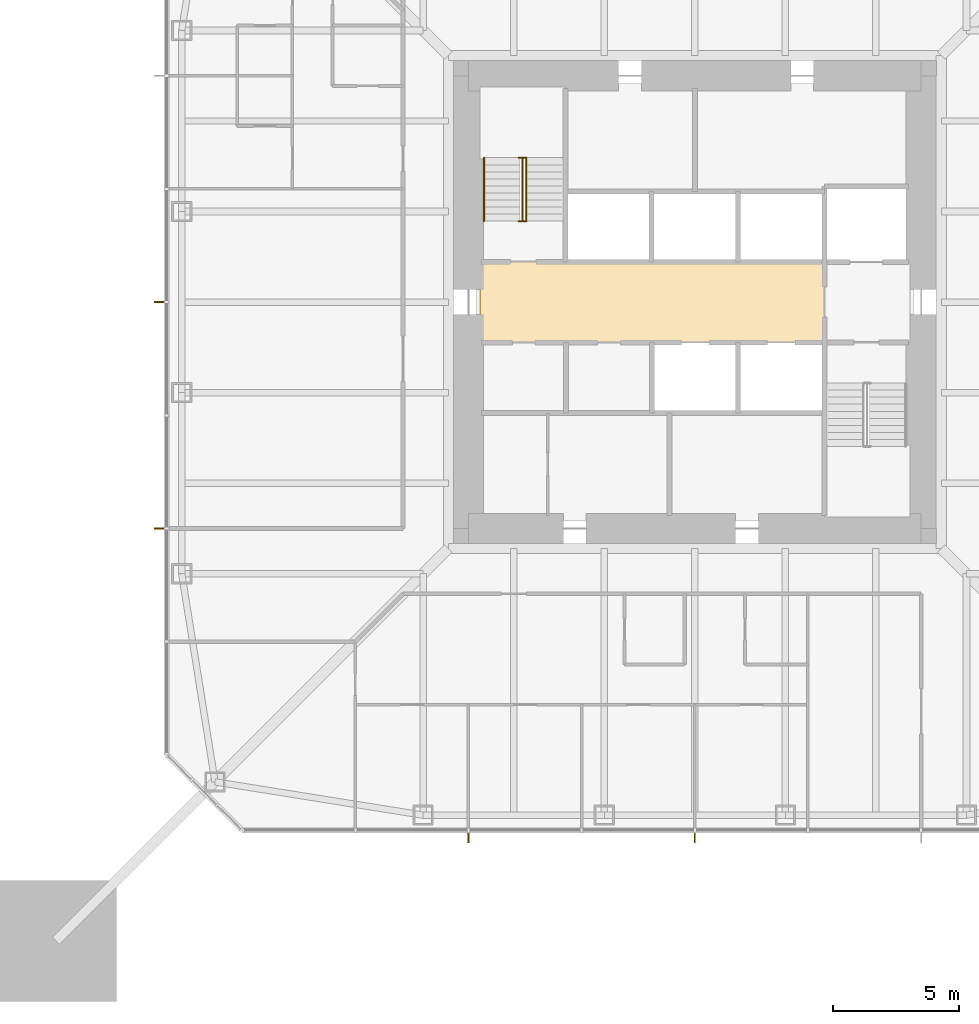
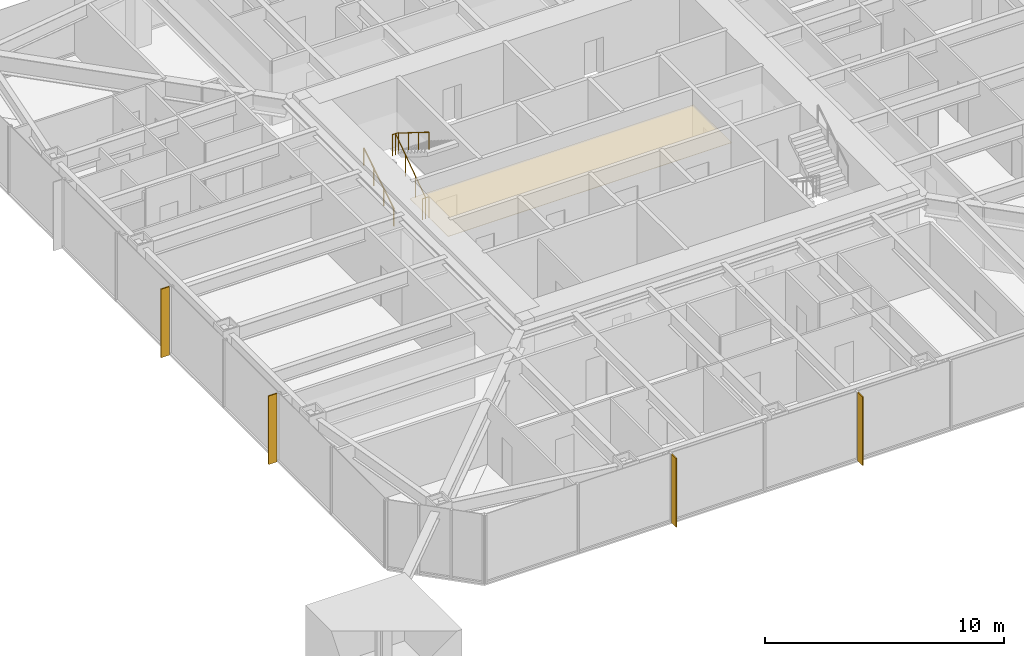
# One storey, part 21 of 25: 4 shading devices, 3 railings, 1 covering.
"""IFC4 building model written with IfcOpenShell, lengths in metres."""

from ifc_helpers import new_model, si_unit, direction, frame, origin, origin_2d, place, context, subcontext, project, spatial, polyline, rectangle, circle, outline, extrude, material, layer, layer_set, constituent, constituent_set, type_object, element, save


model = new_model("IFC4")

# Units and contexts
model_context = context("Model", 3, precision=1e-05, world=origin(), true_north=direction((0.0, 1.0)))
body_context = subcontext(model_context, "Body", "Model", "MODEL_VIEW")
ifc_project = project(units=[si_unit("LENGTHUNIT", "METRE"), si_unit("AREAUNIT", "SQUARE_METRE"), si_unit("VOLUMEUNIT", "CUBIC_METRE"), si_unit("PLANEANGLEUNIT", "RADIAN"), si_unit("MASSUNIT", "GRAM", prefix="KILO")], contexts=[model_context])

# Site, building, storey
site_placement = place(None, origin())
site = spatial("IfcSite", under=ifc_project, at=site_placement, CompositionType="ELEMENT")
building_placement = place(site_placement, origin())
building = spatial("IfcBuilding", under=site, at=building_placement, Name="Iwan Alto Co-Living Towers", CompositionType="ELEMENT")
storey_placement = place(building_placement, frame((0.0, 0.0, 119.0)))
storey = spatial("IfcBuildingStorey", under=building, at=storey_placement, Name="L32", CompositionType="ELEMENT", Elevation=119.0)

# Covering
ifc_material_1 = material(Name="Mineral fibre acoustic tiles on steel grid", Category="steel")
ifc_layer_1 = layer(ifc_material_1, 0.02001953125)
ifc_layer_set_1 = layer_set([ifc_layer_1], Name="ACOUSTIC TILE CEILING 20")
covering_type = type_object("IfcCoveringType", Name="ACOUSTIC TILE CEILING 20", PredefinedType="CEILING", material=ifc_layer_set_1)
covering_placement = place(storey_placement, frame((0.0, 0.0, 2.60009765625)))
element("IfcCovering", 1, at=covering_placement, inside=storey, type_object=covering_type, Name="Ceiling Lift lobby L32", PredefinedType="CEILING", context=body_context, shape_type="SweptSolid", body=[
    extrude(outline(polyline([(-8.550048828125, -1.60009765625), (-8.550048828125, 1.60009765625), (5.14990234375, 1.60009765625), (5.14990234375, -1.60009765625), (-8.550048828125, -1.60009765625)])), origin(), (0.0, 0.0, 1.0), 0.02001953125),
])

# Shading devices
ifc_material_2 = material(Name="Aluminium 6063-T6 bronze anodised", Category="aluminium")
ifc_layer_2 = layer(ifc_material_2, 0.050048828125)
ifc_layer_set_2 = layer_set([ifc_layer_2], Name="BRONZE FIN 50X400")
shading_device_type = type_object("IfcShadingDeviceType", Name="BRONZE FIN 50X400", PredefinedType="USERDEFINED", material=ifc_layer_set_2)
for number, where, z_axis, x_axis, name in (
    (2, (-9.0, -21.300048828125, 0.0), (0.0, 0.0, 1.0), (1.0, 0.0, 0.0), "Bronze fin L32"),
    (3, (0.0, -21.300048828125, 0.0), (0.0, 0.0, 1.0), (1.0, 0.0, 0.0), "Bronze fin L32"),
    (4, (-21.300048828125, 0.0, 0.0), (0.0, 0.0, 1.0), (0.0, -1.0, 0.0), "Bronze fin L32"),
    (5, (-21.300048828125, -9.0, 0.0), (0.0, 0.0, 1.0), (0.0, -1.0, 0.0), "Bronze fin L32"),
):
    element("IfcShadingDevice", number, at=place(storey_placement, frame(where, z_axis=z_axis, x_axis=x_axis)), inside=storey, type_object=shading_device_type, Name=name, ObjectType="LOUVER", PredefinedType="USERDEFINED", context=body_context, shape_type="SweptSolid", body=[
        extrude(rectangle(XDim=0.050048828125, YDim=0.39990234375, at=origin_2d()), origin(), (0.0, 0.0, 1.0), 3.5),
    ])

# Railings
ifc_material_3 = material(Name="Steel ASTM A500 Gr C", Category="steel")
ifc_constituent_1 = constituent(ifc_material_3, Name="Rails and posts", Category="Framing")
ifc_material_4 = material(Name="Steel ASTM A36", Category="steel")
ifc_constituent_2 = constituent(ifc_material_4, Name="Bar infill", Category="Infill")
ifc_constituent_set = constituent_set(constituents=[ifc_constituent_1, ifc_constituent_2], Name="STAIR GUARD 1100")
railing_type_1 = type_object("IfcRailingType", Name="STAIR GUARD 1100", PredefinedType="GUARDRAIL", material=ifc_constituent_set)
railing_1_placement = place(storey_placement, frame((-6.85009765625, 3.219970703125, 0.0)))
element("IfcRailing", 6, at=railing_1_placement, inside=storey, type_object=railing_type_1, Name="Stair T1-S1 well guard L32", PredefinedType="GUARDRAIL", context=body_context, shape_type="SweptSolid", body=[
    extrude(circle(Radius=0.02392578125, at=origin_2d()), frame((0.0, 0.0, 1.076171875), z_axis=(0.0, 0.821372036852, 0.570392826987), x_axis=(-1.0, 0.0, 0.0)), (0.0, 0.0, 1.0), 3.068115234375),
    extrude(circle(Radius=0.02392578125, at=origin_2d()), frame((-0.14990234375, 0.0, 1.076171875), z_axis=(1.0, 0.0, 0.0), x_axis=(0.0, 1.0, 0.0)), (0.0, 0.0, 1.0), 0.300048828125),
    extrude(circle(Radius=0.02392578125, at=origin_2d()), frame((-0.14990234375, 2.52001953125, 2.826171875), z_axis=(1.0, 0.0, 0.0), x_axis=(0.0, 1.0, 0.0)), (0.0, 0.0, 1.0), 0.300048828125),
    extrude(circle(Radius=0.02099609375, at=origin_2d()), origin(), (0.0, 0.0, 1.0), 1.052001953125),
    extrude(circle(Radius=0.02099609375, at=origin_2d()), frame((0.0, 0.840087890625, 0.583251953125)), (0.0, 0.0, 1.0), 1.052001953125),
    extrude(circle(Radius=0.02099609375, at=origin_2d()), frame((0.0, 1.679931640625, 1.166748046875)), (0.0, 0.0, 1.0), 1.052001953125),
    extrude(circle(Radius=0.02099609375, at=origin_2d()), frame((0.0, 2.52001953125, 1.75)), (0.0, 0.0, 1.0), 1.052001953125),
    extrude(circle(Radius=0.02099609375, at=origin_2d()), frame((-0.14990234375, 0.0, 0.0)), (0.0, 0.0, 1.0), 1.052001953125),
    extrude(circle(Radius=0.02099609375, at=origin_2d()), frame((0.150146484375, 0.0, 0.0)), (0.0, 0.0, 1.0), 1.052001953125),
    extrude(circle(Radius=0.02099609375, at=origin_2d()), frame((-0.14990234375, 2.52001953125, 1.75)), (0.0, 0.0, 1.0), 1.052001953125),
    extrude(circle(Radius=0.02099609375, at=origin_2d()), frame((0.150146484375, 2.52001953125, 1.75)), (0.0, 0.0, 1.0), 1.052001953125),
])
ifc_material_5 = material(Name="Steel ASTM A500 Gr C", Category="steel")
railing_type_2 = type_object("IfcRailingType", Name="STAIR HANDRAIL 900", PredefinedType="HANDRAIL", material=ifc_material_5)
railing_2_placement = place(storey_placement, frame((-8.3798828125, 3.219970703125, 0.175048828125)))
element("IfcRailing", 7, at=railing_2_placement, inside=storey, type_object=railing_type_2, Name="Stair T1-S1 handrail 1 L32", PredefinedType="HANDRAIL", context=body_context, shape_type="SweptSolid", body=[
    extrude(circle(Radius=0.02392578125, at=origin_2d()), frame((0.0, 0.0, 0.8759765625), z_axis=(0.0, 0.848007534815, 0.529984170421), x_axis=(-1.0, 0.0, 0.0)), (0.0, 0.0, 1.0), 2.9716796875),
    extrude(circle(Radius=0.02099609375, at=origin_2d()), origin(), (0.0, 0.0, 1.0), 0.851806640625),
    extrude(circle(Radius=0.02099609375, at=origin_2d()), frame((0.0, 0.840087890625, 0.52490234375)), (0.0, 0.0, 1.0), 0.851806640625),
    extrude(circle(Radius=0.02099609375, at=origin_2d()), frame((0.0, 1.679931640625, 1.050048828125)), (0.0, 0.0, 1.0), 0.851806640625),
    extrude(circle(Radius=0.02099609375, at=origin_2d()), frame((0.0, 2.52001953125, 1.574951171875)), (0.0, 0.0, 1.0), 0.851806640625),
])
railing_3_placement = place(storey_placement, frame((-6.699951171875, 5.739990234375, 1.925048828125)))
element("IfcRailing", 8, at=railing_3_placement, inside=storey, type_object=railing_type_2, Name="Stair T1-S1 handrail 2 L32", PredefinedType="HANDRAIL", context=body_context, shape_type="SweptSolid", body=[
    extrude(circle(Radius=0.02392578125, at=origin_2d()), frame((0.0, 0.0, 0.8759765625), z_axis=(0.0, -0.848007534815, 0.529984170421), x_axis=(1.0, 0.0, 0.0)), (0.0, 0.0, 1.0), 2.9716796875),
    extrude(circle(Radius=0.02099609375, at=origin_2d()), origin(), (0.0, 0.0, 1.0), 0.851806640625),
    extrude(circle(Radius=0.02099609375, at=origin_2d()), frame((0.0, -0.840087890625, 0.52490234375)), (0.0, 0.0, 1.0), 0.851806640625),
    extrude(circle(Radius=0.02099609375, at=origin_2d()), frame((0.0, -1.679931640625, 1.050048828125)), (0.0, 0.0, 1.0), 0.851806640625),
    extrude(circle(Radius=0.02099609375, at=origin_2d()), frame((0.0, -2.52001953125, 1.574951171875)), (0.0, 0.0, 1.0), 0.851806640625),
])

save(model, "model.ifc")
